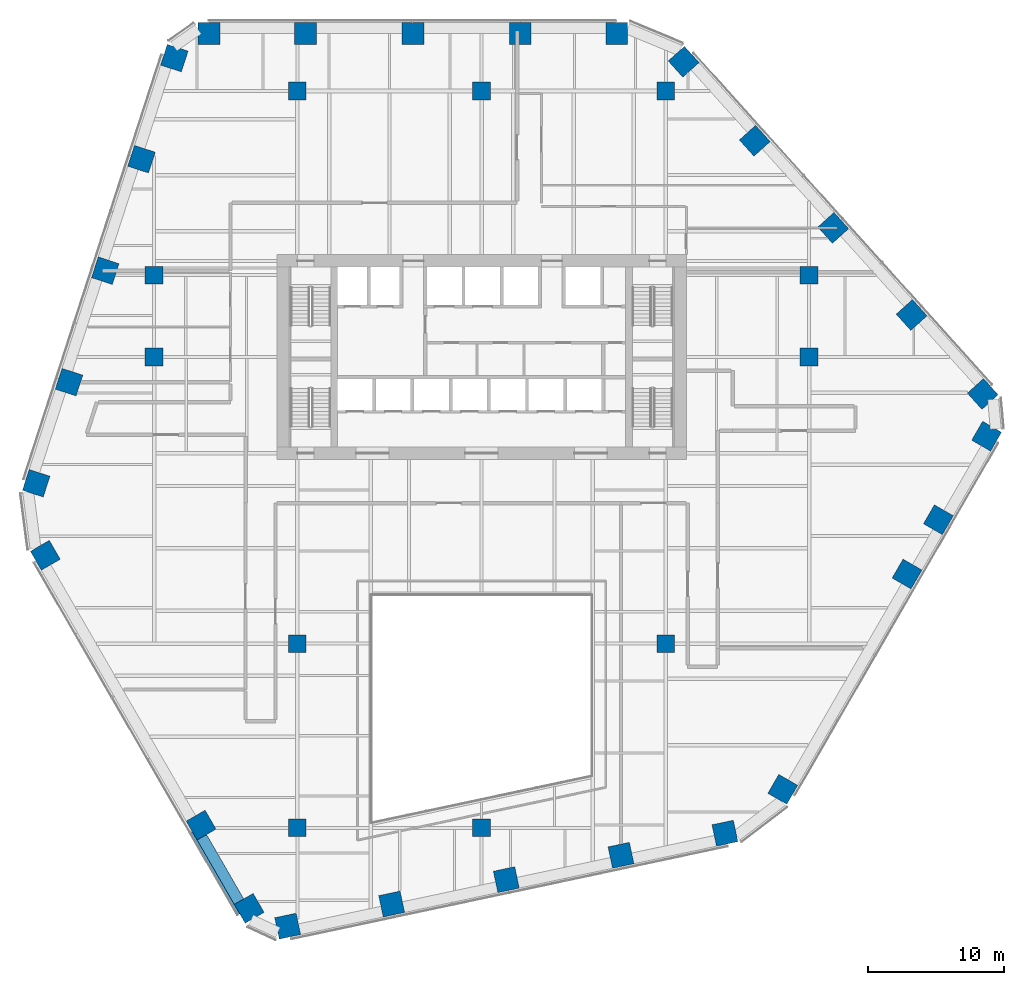
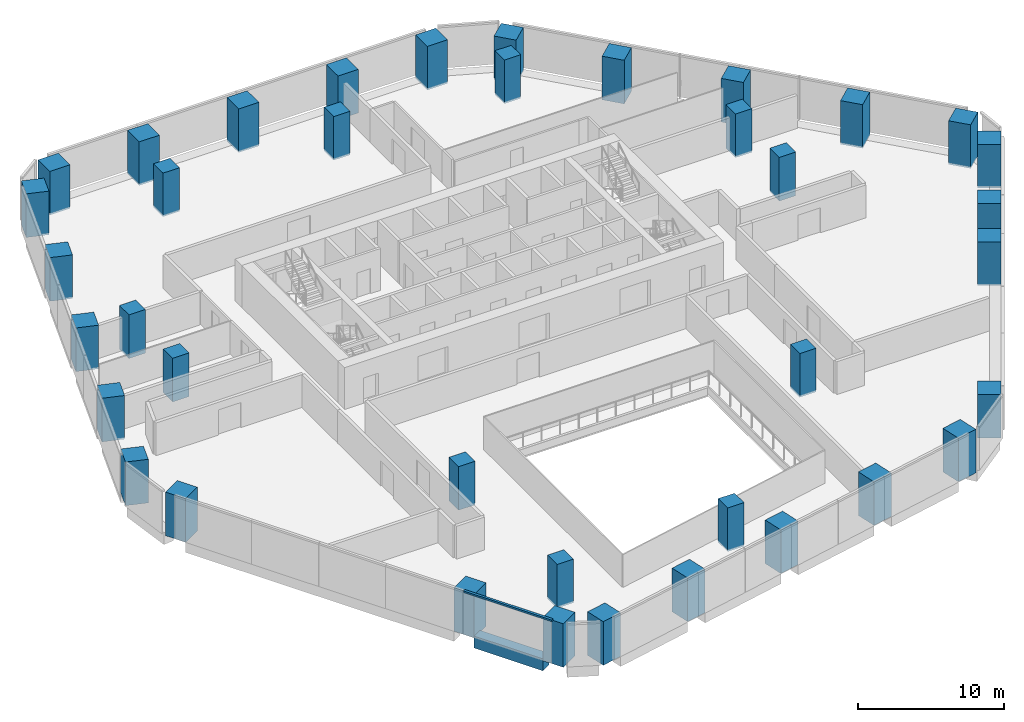
# One storey, part 1 of 19: 38 columns, 1 beam, 1 member, 1 element without a shape of its own.
"""IFC4 building model written with IfcOpenShell, lengths in metres."""

from ifc_helpers import new_model, si_unit, direction, frame, origin, origin_2d, place, context, subcontext, project, spatial, rectangle, extrude, material, layer, layer_set, material_profile, profile_set, type_object, element, aggregate, save


model = new_model("IFC4")

# Units and contexts
model_context = context("Model", 3, precision=1e-05, world=origin(), true_north=direction((0.0, 1.0)))
body_context = subcontext(model_context, "Body", "Model", "MODEL_VIEW")
ifc_project = project(units=[si_unit("LENGTHUNIT", "METRE"), si_unit("AREAUNIT", "SQUARE_METRE"), si_unit("VOLUMEUNIT", "CUBIC_METRE"), si_unit("PLANEANGLEUNIT", "RADIAN"), si_unit("MASSUNIT", "GRAM", prefix="KILO")], contexts=[model_context])

# Site, building, storey
site_placement = place(None, origin())
site = spatial("IfcSite", under=ifc_project, at=site_placement, CompositionType="ELEMENT")
building_placement = place(site_placement, origin())
building = spatial("IfcBuilding", under=site, at=building_placement, Name="Isthmus Gate Tower", CompositionType="ELEMENT")
storey_placement = place(building_placement, frame((0.0, 0.0, 87.949951171875)))
storey = spatial("IfcBuildingStorey", under=building, at=storey_placement, Name="L20", CompositionType="ELEMENT", Elevation=87.949951171875)

# Columns
ifc_material_1 = material(Name="Concrete f'c 70 MPa", Category="concrete")
ifc_material_profile_1 = material_profile(ifc_material_1, rectangle(XDim=1.300048828125, YDim=1.300048828125, at=origin_2d()), Name="RC 1300X1300")
ifc_profile_set_1 = profile_set([ifc_material_profile_1], Name="Concrete f'c 70 MPa")
column_type_1 = type_object("IfcColumnType", Name="RC INTERIOR COLUMN 1300 X 1300", PredefinedType="COLUMN", material=ifc_profile_set_1)
for number, where, z_axis, x_axis, name in (
    (1, (-24.0, 7.5, -0.14990234375), (0.0, 0.0, 1.0), (1.0, 0.0, 0.0), "str-icol-L20-ICA3"),
    (2, (-24.0, 13.5, -0.14990234375), (0.0, 0.0, 1.0), (1.0, 0.0, 0.0), "str-icol-L20-ICA4"),
    (3, (-13.5, -27.0, -0.14990234375), (0.0, 0.0, 1.0), (1.0, 0.0, 0.0), "str-icol-L20-ICB1"),
    (4, (-13.5, -13.5, -0.14990234375), (0.0, 0.0, 1.0), (1.0, 0.0, 0.0), "str-icol-L20-ICB2"),
    (5, (-13.5, 27.0, -0.14990234375), (0.0, 0.0, 1.0), (1.0, 0.0, 0.0), "str-icol-L20-ICB5"),
    (6, (0.0, -27.0, -0.14990234375), (0.0, 0.0, 1.0), (1.0, 0.0, 0.0), "str-icol-L20-ICC1"),
    (7, (0.0, 27.0, -0.14990234375), (0.0, 0.0, 1.0), (1.0, 0.0, 0.0), "str-icol-L20-ICC5"),
    (8, (13.5, -13.5, -0.14990234375), (0.0, 0.0, 1.0), (1.0, 0.0, 0.0), "str-icol-L20-ICD2"),
    (9, (13.5, 27.0, -0.14990234375), (0.0, 0.0, 1.0), (1.0, 0.0, 0.0), "str-icol-L20-ICD5"),
    (10, (24.0, 7.5, -0.14990234375), (0.0, 0.0, 1.0), (1.0, 0.0, 0.0), "str-icol-L20-ICE3"),
    (11, (24.0, 13.5, -0.14990234375), (0.0, 0.0, 1.0), (1.0, 0.0, 0.0), "str-icol-L20-ICE4"),
):
    element("IfcColumn", number, at=place(storey_placement, frame(where, z_axis=z_axis, x_axis=x_axis)), inside=storey, type_object=column_type_1, Name=name, PredefinedType="COLUMN", context=body_context, shape_type="SweptSolid", body=[
        extrude(rectangle(XDim=1.300048828125, YDim=1.300048828125, at=origin_2d()), origin(), (0.0, 0.0, 1.0), 3.64990234375),
    ])
ifc_material_2 = material(Name="Concrete f'c 70 MPa", Category="concrete")
ifc_material_profile_2 = material_profile(ifc_material_2, rectangle(XDim=1.60009765625, YDim=1.60009765625, at=origin_2d()), Name="RC 1600X1600")
ifc_profile_set_2 = profile_set([ifc_material_profile_2], Name="Concrete f'c 70 MPa")
column_type_2 = type_object("IfcColumnType", Name="RC TUBE COLUMN 1600 X 1600", PredefinedType="COLUMN", material=ifc_profile_set_2)
for number, where, z_axis, x_axis, name in (
    (12, (9.90185546875, 31.199951171875, -0.14990234375), (0.0, 0.0, 1.0), (-1.0, 0.0, 0.0), "str-tcol-L20-T1N0"),
    (13, (2.832275390625, 31.199951171875, -0.14990234375), (0.0, 0.0, 1.0), (-1.0, 0.0, 0.0), "str-tcol-L20-T1N1"),
    (14, (-5.037109375, 31.199951171875, -0.14990234375), (0.0, 0.0, 1.0), (-1.0, 0.0, 0.0), "str-tcol-L20-T1N2"),
    (15, (-12.90673828125, 31.199951171875, -0.14990234375), (0.0, 0.0, 1.0), (-1.0, 0.0, 0.0), "str-tcol-L20-T1N3"),
    (16, (-19.976318359375, 31.199951171875, -0.14990234375), (0.0, 0.0, 1.0), (-1.0, 0.0, 0.0), "str-tcol-L20-T1N4"),
    (17, (-22.515380859375, 29.406982421875, -0.14990234375), (0.0, 0.0, 1.0), (-0.309016994375, -0.951056516295, 0.0), "str-tcol-L20-T1NW0"),
    (18, (-24.922607421875, 21.998779296875, -0.14990234375), (0.0, 0.0, 1.0), (-0.309016994375, -0.951056516295, 0.0), "str-tcol-L20-T1NW1"),
    (19, (-27.57666015625, 13.829833984375, -0.14990234375), (0.0, 0.0, 1.0), (-0.309016994375, -0.951056516295, 0.0), "str-tcol-L20-T1NW2"),
    (20, (-30.23095703125, 5.660888671875, -0.14990234375), (0.0, 0.0, 1.0), (-0.309016994375, -0.951056516295, 0.0), "str-tcol-L20-T1NW3"),
    (21, (-32.63818359375, -1.747314453125, -0.14990234375), (0.0, 0.0, 1.0), (-0.309016994375, -0.951056516295, 0.0), "str-tcol-L20-T1NW4"),
    (22, (-31.970947265625, -7.024658203125, -0.14990234375), (0.0, 0.0, 1.0), (0.5, -0.866025403784, 0.0), "str-tcol-L20-T1SW0"),
    (23, (-20.5537109375, -26.800048828125, -0.14990234375), (0.0, 0.0, 1.0), (0.5, -0.866025403784, 0.0), "str-tcol-L20-T1SW2"),
    (24, (-17.031982421875, -32.89990234375, -0.14990234375), (0.0, 0.0, 1.0), (0.5, -0.866025403784, 0.0), "str-tcol-L20-T1SW3"),
    (25, (-14.20947265625, -34.202392578125, -0.14990234375), (0.0, 0.0, 1.0), (0.978147600734, 0.207911690818, 0.0), "str-tcol-L20-T1S0"),
    (26, (-6.59033203125, -32.5830078125, -0.14990234375), (0.0, 0.0, 1.0), (0.978147600734, 0.207911690818, 0.0), "str-tcol-L20-T1S1"),
    (27, (1.811279296875, -30.797119140625, -0.14990234375), (0.0, 0.0, 1.0), (0.978147600734, 0.207911690818, 0.0), "str-tcol-L20-T1S2"),
    (28, (10.213134765625, -29.01123046875, -0.14990234375), (0.0, 0.0, 1.0), (0.978147600734, 0.207911690818, 0.0), "str-tcol-L20-T1S3"),
    (29, (17.832275390625, -27.391845703125, -0.14990234375), (0.0, 0.0, 1.0), (0.978147600734, 0.207911690818, 0.0), "str-tcol-L20-T1S4"),
    (30, (22.069091796875, -24.17529296875, -0.14990234375), (0.0, 0.0, 1.0), (0.5, 0.866025403784, 0.0), "str-tcol-L20-T1SE0"),
    (31, (31.177001953125, -8.39990234375, -0.14990234375), (0.0, 0.0, 1.0), (0.5, 0.866025403784, 0.0), "str-tcol-L20-T1SE1"),
    (32, (33.473388671875, -4.42236328125, -0.14990234375), (0.0, 0.0, 1.0), (0.5, 0.866025403784, 0.0), "str-tcol-L20-T1SE2"),
    (33, (37.008056640625, 1.699951171875, -0.14990234375), (0.0, 0.0, 1.0), (0.5, 0.866025403784, 0.0), "str-tcol-L20-T1SE3"),
    (34, (36.724853515625, 4.79541015625, -0.14990234375), (0.0, 0.0, 1.0), (-0.669130606359, 0.743144825477, 0.0), "str-tcol-L20-T1NE0"),
    (35, (31.5126953125, 10.584228515625, -0.14990234375), (0.0, 0.0, 1.0), (-0.669130606359, 0.743144825477, 0.0), "str-tcol-L20-T1NE1"),
    (36, (25.765380859375, 16.96728515625, -0.14990234375), (0.0, 0.0, 1.0), (-0.669130606359, 0.743144825477, 0.0), "str-tcol-L20-T1NE2"),
    (37, (20.01806640625, 23.350341796875, -0.14990234375), (0.0, 0.0, 1.0), (-0.669130606359, 0.743144825477, 0.0), "str-tcol-L20-T1NE3"),
    (38, (14.805908203125, 29.138916015625, -0.14990234375), (0.0, 0.0, 1.0), (-0.669130606359, 0.743144825477, 0.0), "str-tcol-L20-T1NE4"),
):
    element("IfcColumn", number, at=place(storey_placement, frame(where, z_axis=z_axis, x_axis=x_axis)), inside=storey, type_object=column_type_2, Name=name, PredefinedType="COLUMN", context=body_context, shape_type="SweptSolid", body=[
        extrude(rectangle(XDim=1.60009765625, YDim=1.60009765625, at=origin_2d()), origin(), (0.0, 0.0, 1.0), 3.64990234375),
    ])

# Curtain wall, member
ifc_material_3 = material(Name="Aluminium, pale champagne anodised", Category="aluminium")
ifc_layer = layer(ifc_material_3, 0.199951171875)
ifc_layer_set = layer_set([ifc_layer], Name="CW-1 UNITISED CURTAIN WALL 200 DEEP")
curtain_wall_type = type_object("IfcCurtainWallType", Name="CW-1 UNITISED CURTAIN WALL 200 DEEP", PredefinedType="NOTDEFINED", material=ifc_layer_set)
curtain_wall_placement = place(storey_placement, origin())
curtain_wall = element("IfcCurtainWall", 39, at=curtain_wall_placement, inside=storey, type_object=curtain_wall_type, Name="CW-1 SW L20", PredefinedType="NOTDEFINED")
ifc_material_4 = material(Name="Aluminium, pale champagne anodised", Category="aluminium")
ifc_material_profile_3 = material_profile(ifc_material_4, rectangle(XDim=0.199951171875, YDim=0.14990234375, at=origin_2d()), Name="200x150")
ifc_profile_set_3 = profile_set([ifc_material_profile_3], Name="Aluminium, pale champagne anodised")
member_type = type_object("IfcMemberType", Name="CW-1 TRANSOM 200 X 150", PredefinedType="USERDEFINED", material=ifc_profile_set_3)
member_placement = place(storey_placement, frame((-21.302978515625, -27.302001953125, 3.574951171875), z_axis=(0.499996830835, -0.866027233495, 0.0), x_axis=(0.866027233495, 0.499996830835, 0.0)))
member = element("IfcMember", 40, at=member_placement, type_object=member_type, Name="CW-1 transom", ObjectType="TRANSOM", PredefinedType="USERDEFINED", context=body_context, shape_type="SweptSolid", body=[
    extrude(rectangle(XDim=0.199951171875, YDim=0.14990234375, at=origin_2d()), origin(), (0.0, 0.0, 1.0), 6.9833984375),
])
aggregate(curtain_wall, [member])

# Beam
ifc_material_5 = material(Name="Concrete f'c 70 MPa", Category="concrete")
ifc_material_profile_4 = material_profile(ifc_material_5, rectangle(XDim=0.800048828125, YDim=1.0, at=origin_2d()), Name="RC 800X1000")
ifc_profile_set_4 = profile_set([ifc_material_profile_4], Name="Concrete f'c 70 MPa")
beam_type = type_object("IfcBeamType", Name="RC SPANDREL 800 X 1000", PredefinedType="SPANDREL", material=ifc_profile_set_4)
beam_placement = place(storey_placement, frame((-17.7783203125, -32.406982421875, -0.5), z_axis=(-0.499998104561, 0.866026498114, 0.0), x_axis=(-0.866026498114, -0.499998104561, 0.0)))
element("IfcBeam", 41, at=beam_placement, inside=storey, type_object=beam_type, Name="str-spandrel-L20-15", PredefinedType="SPANDREL", context=body_context, shape_type="SweptSolid", body=[
    extrude(rectangle(XDim=0.800048828125, YDim=1.0, at=origin_2d()), origin(), (0.0, 0.0, 1.0), 5.443359375),
])

save(model, "model.ifc")
